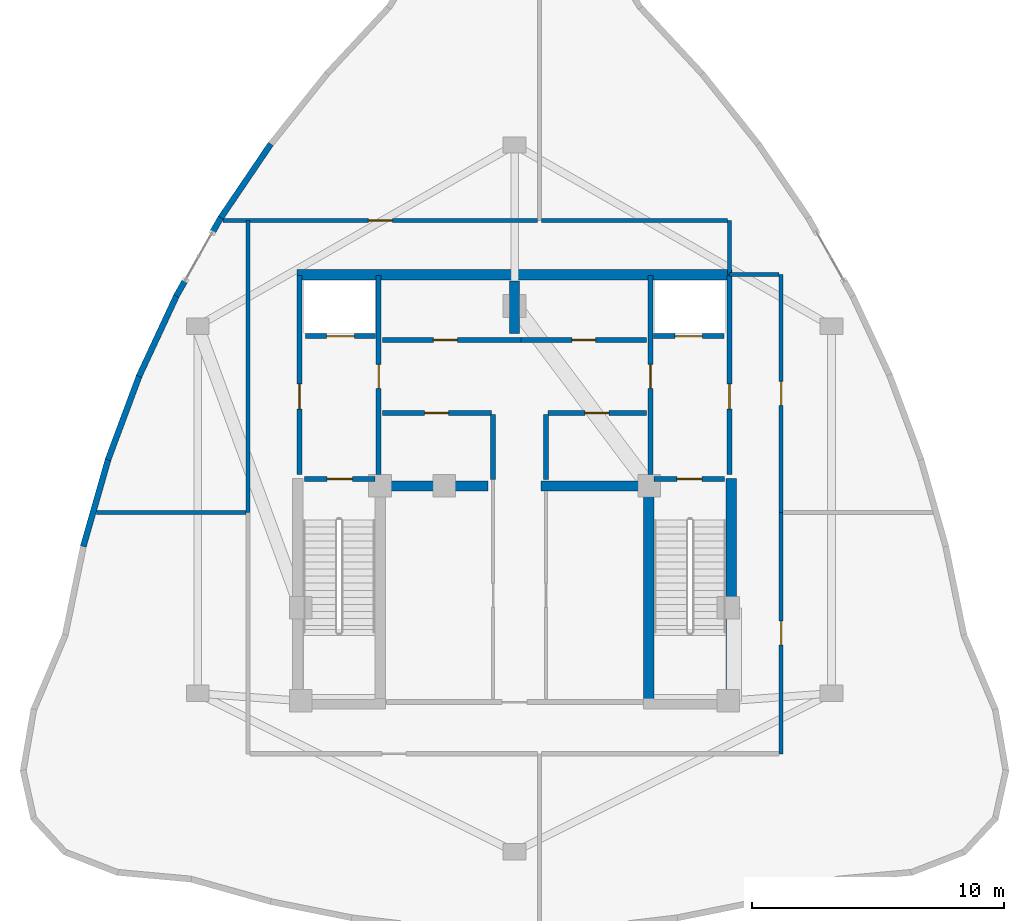
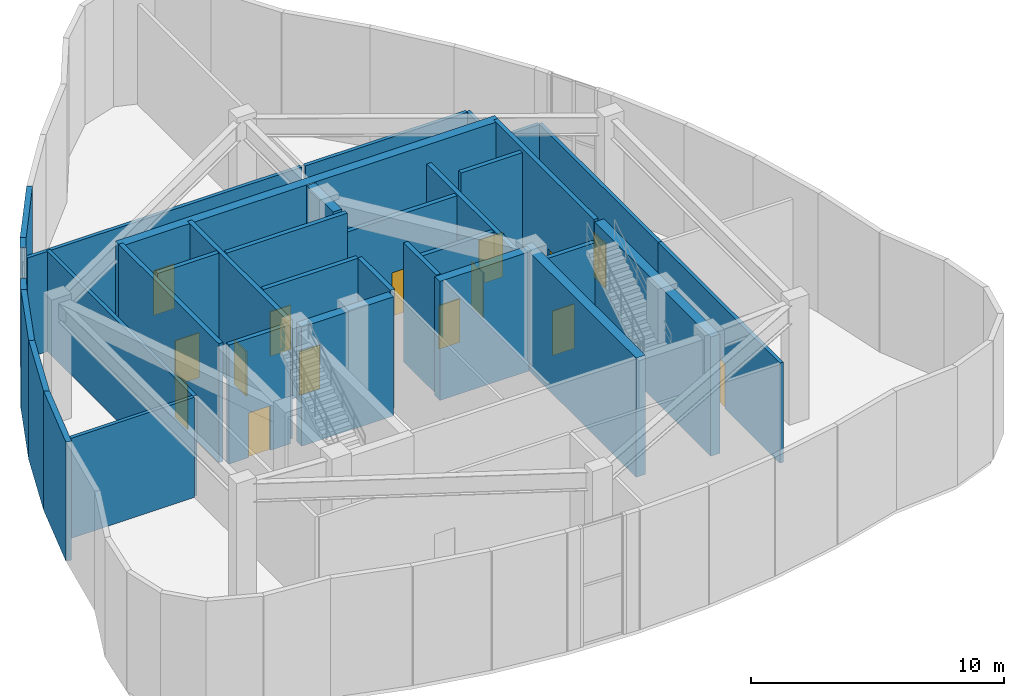
# One storey, part 8 of 10: 34 walls, 15 doors, 15 openings.
"""IFC4 building model written with IfcOpenShell, lengths in metres."""

import ifcopenshell
import ifcopenshell.guid

model = None  # the IFC model being written
_history = None  # IfcOwnerHistory: only IFC2X3 demands one
_inside = {}  # id of a spatial element -> (the spatial element, [elements in it])
_under = {}  # id of a project, library or spatial element -> (it, [spatial elements below it])
_declared = {}  # id of a project -> (the project, [libraries it declares])
_typed = {}  # id of a type object -> (the type object, [elements of that type])
_made_of = {}  # id of a material, layer set ... -> (it, [elements and type objects made of it])


def new_model(schema):
    """Start an empty IFC model of exactly this schema.

    Asked for "IFC4X3", IfcOpenShell would pick the latest addendum, in which some entities
    have other attributes; the version numbers below select the first issue.
    IFC2X3 requires an IfcOwnerHistory on every rooted entity: one is made here for all.
    """
    global model, _history
    if schema == "IFC4X3":
        model = ifcopenshell.file(schema_version=(4, 3, 0, 0))
    else:
        model = ifcopenshell.file(schema=schema)
    _inside.clear()
    _under.clear()
    _declared.clear()
    _typed.clear()
    _made_of.clear()
    _history = None
    if model.schema == "IFC2X3":
        org = make("IfcOrganization", Name="unknown")
        user = make(
            "IfcPersonAndOrganization",
            ThePerson=make("IfcPerson", FamilyName="unknown"),
            TheOrganization=org,
        )
        app = make(
            "IfcApplication",
            ApplicationDeveloper=org,
            Version="unknown",
            ApplicationFullName="unknown",
            ApplicationIdentifier="unknown",
        )
        _history = make(
            "IfcOwnerHistory",
            OwningUser=user,
            OwningApplication=app,
            ChangeAction="ADDED",
            CreationDate=0,
        )
    return model


def make(cls, **values):
    """One entity of the class cls with the attributes given. An attribute that is None is left unset."""
    return model.create_entity(
        cls, **{name: value for name, value in values.items() if value is not None}
    )


def rooted(cls, **values):
    """An entity with a GlobalId (a new one), such as an element, a storey or a relation."""
    return make(cls, GlobalId=ifcopenshell.guid.new(), OwnerHistory=_history, **values)


def si_unit(unit_type, name, prefix=None):
    """IfcSIUnit, for example si_unit("LENGTHUNIT", "METRE", prefix="MILLI")."""
    return make("IfcSIUnit", UnitType=unit_type, Prefix=prefix, Name=name)


def assignment(units):
    """IfcUnitAssignment: the units of a project."""
    return None if units is None else make("IfcUnitAssignment", Units=units)


def point(xyz):
    """IfcCartesianPoint."""
    return None if xyz is None else make("IfcCartesianPoint", Coordinates=xyz)


def direction(xyz):
    """IfcDirection."""
    return None if xyz is None else make("IfcDirection", DirectionRatios=xyz)


def frame(location, z_axis=None, x_axis=None):
    """IfcAxis2Placement3D, a coordinate frame: its origin and axes. An axis left out is left unset."""
    return make(
        "IfcAxis2Placement3D",
        Location=point(location),
        Axis=direction(z_axis),
        RefDirection=direction(x_axis),
    )


def frame_2d(location, x_axis=None):
    """IfcAxis2Placement2D, a coordinate frame in the plane: its origin and x axis."""
    return make(
        "IfcAxis2Placement2D", Location=point(location), RefDirection=direction(x_axis)
    )


def origin():
    """The frame at (0, 0, 0) with its axes left unset."""
    return frame((0.0, 0.0, 0.0))


def place(relative_to, where):
    """IfcLocalPlacement: puts the frame where relative to a parent placement (None: the world)."""
    return make(
        "IfcLocalPlacement", PlacementRelTo=relative_to, RelativePlacement=where
    )


def context(
    kind, dimensions, precision=None, world=None, true_north=None, identifier=None
):
    """IfcGeometricRepresentationContext, for example the 3D "Model" context."""
    return make(
        "IfcGeometricRepresentationContext",
        ContextIdentifier=identifier,
        ContextType=kind,
        CoordinateSpaceDimension=dimensions,
        Precision=precision,
        WorldCoordinateSystem=world,
        TrueNorth=true_north,
    )


def subcontext(parent, identifier, kind, view, scale=None):
    """IfcGeometricRepresentationSubContext, for example "Body" below "Model"."""
    return make(
        "IfcGeometricRepresentationSubContext",
        ContextIdentifier=identifier,
        ContextType=kind,
        ParentContext=parent,
        TargetScale=scale,
        TargetView=view,
    )


def project(units=None, contexts=None):
    """IfcProject with its units and contexts."""
    return rooted(
        "IfcProject",
        Name="project",
        RepresentationContexts=contexts,
        UnitsInContext=assignment(units),
    )


def spatial(cls, under=None, at=None, **own):
    """A site, building, storey or space (cls), placed at a placement, below another one or the project."""
    s = rooted(cls, ObjectPlacement=at, **own)
    if under is not None:
        _under.setdefault(under.id(), (under, []))[1].append(s)
    return s


def profile(cls, at=None, kind="AREA", **sizes):
    """A parametric profile (cls). Its sizes go by their IFC names, for example OverallWidth=200.0."""
    return make(cls, ProfileType=kind, Position=at, **sizes)


def rectangle(**sizes):
    """IfcRectangleProfileDef."""
    return profile("IfcRectangleProfileDef", **sizes)


def extrude(swept, where, along, depth):
    """IfcExtrudedAreaSolid: the profile swept, set in the frame where, extruded along a direction by depth."""
    return make(
        "IfcExtrudedAreaSolid",
        SweptArea=swept,
        Position=where,
        ExtrudedDirection=direction(along),
        Depth=depth,
    )


def shape(context_of_items, identifier, shape_type, items):
    """IfcShapeRepresentation: the items that make up one representation, for example the "Body"."""
    return make(
        "IfcShapeRepresentation",
        ContextOfItems=context_of_items,
        RepresentationIdentifier=identifier,
        RepresentationType=shape_type,
        Items=items,
    )


def material(Name=None, Category=None):
    """IfcMaterial."""
    return make("IfcMaterial", Name=Name, Category=Category)


def layer(
    of_material, thickness, ventilated=None, Name=None, Category=None, Priority=None
):
    """IfcMaterialLayer: one layer of a wall or slab, of a material (None: an air gap)."""
    return make(
        "IfcMaterialLayer",
        Material=of_material,
        LayerThickness=thickness,
        IsVentilated=ventilated,
        Name=Name,
        Category=Category,
        Priority=Priority,
    )


def layer_set(layers, Name=None):
    """IfcMaterialLayerSet."""
    return make("IfcMaterialLayerSet", MaterialLayers=layers, LayerSetName=Name)


def made_of(thing, what):
    """Note that an element or type object is made of a material, layer set ...; save() writes the relation."""
    if what is not None:
        _made_of.setdefault(what.id(), (what, []))[1].append(thing)
    return thing


def type_object(cls, material=None, **own):
    """A type object (cls), such as IfcWallType, which elements share."""
    return made_of(rooted(cls, **own), material)


def element(
    cls,
    number,
    at=None,
    inside=None,
    cuts=None,
    type_object=None,
    material=None,
    context=None,
    identifier="Body",
    shape_type=None,
    held_by="IfcProductDefinitionShape",
    body=None,
    shapes=None,
    **own,
):
    """One element of the class cls, such as IfcWall. Its Tag is "e" and its number.

    at: its placement. inside: the storey or other place that contains it. cuts: it is an
    opening in that element (IfcRelVoidsElement). A single representation is given by context,
    identifier, shape_type and body (its items); several are given by shapes. held_by: the class
    of the entity that holds the representations. save() writes the other relations.
    """
    e = rooted(cls, Tag="e%d" % number, ObjectPlacement=at, **own)
    if body is not None:
        shapes = [shape(context, identifier, shape_type, body)]
    if shapes is not None:
        e.Representation = make(held_by, Representations=shapes)
    if inside is not None:
        _inside.setdefault(inside.id(), (inside, []))[1].append(e)
    if cuts is not None:
        rooted(
            "IfcRelVoidsElement", RelatingBuildingElement=cuts, RelatedOpeningElement=e
        )
    if type_object is not None:
        _typed.setdefault(type_object.id(), (type_object, []))[1].append(e)
    return made_of(e, material)


def fill(opening, filler):
    """IfcRelFillsElement: the door or window that sits in an opening."""
    return rooted(
        "IfcRelFillsElement",
        RelatingOpeningElement=opening,
        RelatedBuildingElement=filler,
    )


def aggregate(whole, parts):
    """IfcRelAggregates: a whole, such as a stair, and the parts it consists of."""
    return rooted("IfcRelAggregates", RelatingObject=whole, RelatedObjects=parts)


def save(model, path):
    """Write the relations noted so far, then the file.

    IfcRelAggregates (storeys below a building ...), IfcRelContainedInSpatialStructure (elements
    in a storey), IfcRelDefinesByType, IfcRelAssociatesMaterial and IfcRelDeclares: one each for
    every whole, place, type object, material and project.
    """
    for whole, parts in _under.values():
        aggregate(whole, parts)
    for where, things in _inside.values():
        rooted(
            "IfcRelContainedInSpatialStructure",
            RelatedElements=things,
            RelatingStructure=where,
        )
    for kind, things in _typed.values():
        rooted("IfcRelDefinesByType", RelatedObjects=things, RelatingType=kind)
    for what, things in _made_of.values():
        rooted("IfcRelAssociatesMaterial", RelatedObjects=things, RelatingMaterial=what)
    for by, libraries in _declared.values():
        rooted("IfcRelDeclares", RelatingContext=by, RelatedDefinitions=libraries)
    model.write(path)


model = new_model("IFC4")

# Units and contexts
model_context = context("Model", 3, precision=1e-05, world=origin(), true_north=direction((0.0, 1.0)))
body_context = subcontext(model_context, "Body", "Model", "MODEL_VIEW")
ifc_project = project(units=[si_unit("LENGTHUNIT", "METRE"), si_unit("AREAUNIT", "SQUARE_METRE"), si_unit("VOLUMEUNIT", "CUBIC_METRE"), si_unit("PLANEANGLEUNIT", "RADIAN"), si_unit("MASSUNIT", "GRAM", prefix="KILO")], contexts=[model_context])

# Site, building, storey
site_placement = place(None, origin())
site = spatial("IfcSite", under=ifc_project, at=site_placement, CompositionType="ELEMENT")
building_placement = place(site_placement, origin())
building = spatial("IfcBuilding", under=site, at=building_placement, Name="Miruveldt Soraemaru", CompositionType="ELEMENT")
storey_placement = place(building_placement, frame((0.0, 0.0, 306.800048828125)))
storey = spatial("IfcBuildingStorey", under=building, at=storey_placement, Name="L81", CompositionType="ELEMENT", Elevation=306.800048828125)

# Walls
ifc_material_1 = material(Name="Concrete C70/85 (70 MPa)", Category="concrete")
ifc_layer_1 = layer(ifc_material_1, 0.5, Name="Concrete C70/85 (70 MPa)", Category="concrete")
ifc_layer_set_1 = layer_set([ifc_layer_1], Name="Concrete C70/85 (70 MPa)")
wall_type_1 = type_object("IfcWallType", Name="WALL-BW-500", PredefinedType="SHEAR", material=ifc_layer_set_1)
wall_1_placement = place(storey_placement, frame((44.0, 50.10009765625, 0.0), z_axis=(0.0, 0.0, 1.0), x_axis=(0.0, 1.0, 0.0)))
element("IfcWall", 1, at=wall_1_placement, inside=storey, type_object=wall_type_1, Name="L81 Core Buttress Shear Wall BN", PredefinedType="SHEAR", context=body_context, shape_type="SweptSolid", body=[
    extrude(rectangle(XDim=2.099853515625, YDim=0.39990234375, at=frame_2d((1.0498046875, 0.0))), origin(), (0.0, 0.0, 1.0), 5.739990234375),
])
for number, where, z_axis, x_axis, name in (
    (2, (38.75, 44.050048828125, 0.0), (0.0, 0.0, 1.0), (1.0, 0.0, 0.0), "L81 Core Buttress Shear Wall BW"),
    (3, (45.050048828125, 44.050048828125, 0.0), (0.0, 0.0, 1.0), (1.0, 0.0, 0.0), "L81 Core Buttress Shear Wall BE"),
):
    element("IfcWall", number, at=place(storey_placement, frame(where, z_axis=z_axis, x_axis=x_axis)), inside=storey, type_object=wall_type_1, Name=name, PredefinedType="SHEAR", context=body_context, shape_type="SweptSolid", body=[
        extrude(rectangle(XDim=4.199951171875, YDim=0.39990234375, at=frame_2d((2.10009765625, 0.0))), origin(), (0.0, 0.0, 1.0), 5.739990234375),
    ])
ifc_material_2 = material(Name="Concrete C50/60 (50 MPa)", Category="concrete")
ifc_layer_2 = layer(ifc_material_2, 0.419921875, Name="Concrete C50/60 (50 MPa)", Category="concrete")
ifc_layer_set_2 = layer_set([ifc_layer_2], Name="Concrete C50/60 (50 MPa)")
wall_type_2 = type_object("IfcWallType", Name="WALL-CW-420", PredefinedType="SHEAR", material=ifc_layer_set_2)
wall_2_placement = place(storey_placement, frame((35.35009765625, 52.449951171875, 0.0), z_axis=(0.0, 0.0, 1.0), x_axis=(1.0, 0.0, 0.0)))
element("IfcWall", 4, at=wall_2_placement, inside=storey, type_object=wall_type_2, Name="L81 Central Core Shear Wall N", PredefinedType="SHEAR", context=body_context, shape_type="SweptSolid", body=[
    extrude(rectangle(XDim=17.2998046875, YDim=0.419921875, at=frame_2d((8.64990234375, 0.0))), origin(), (0.0, 0.0, 1.0), 5.739990234375),
])
wall_3_placement = place(storey_placement, frame((52.610107421875, 35.179931640625, 0.0), z_axis=(0.0, 0.0, 1.0), x_axis=(0.0, 1.0, 0.0)))
element("IfcWall", 5, at=wall_3_placement, inside=storey, type_object=wall_type_2, Name="L81 Central Core Shear Wall E1", PredefinedType="SHEAR", context=body_context, shape_type="SweptSolid", body=[
    extrude(rectangle(XDim=9.170166015625, YDim=0.419921875, at=frame_2d((4.5849609375, 0.0))), origin(), (0.0, 0.0, 1.0), 5.739990234375),
])
wall_4_placement = place(storey_placement, frame((49.340087890625, 35.39990234375, 0.0), z_axis=(0.0, 0.0, 1.0), x_axis=(0.0, 1.0, 0.0)))
element("IfcWall", 6, at=wall_4_placement, inside=storey, type_object=wall_type_2, Name="L81 Central Core Shear Wall SE-INT", PredefinedType="SHEAR", context=body_context, shape_type="SweptSolid", body=[
    extrude(rectangle(XDim=8.9501953125, YDim=0.419921875, at=frame_2d((4.47509765625, 0.0))), origin(), (0.0, 0.0, 1.0), 5.739990234375),
])
ifc_material_3 = material(Name="Precast concrete C45/55 (45 MPa)", Category="concrete")
ifc_layer_3 = layer(ifc_material_3, 0.239990234375, Name="Precast concrete C45/55 (45 MPa)", Category="concrete")
ifc_layer_set_3 = layer_set([ifc_layer_3], Name="Precast concrete C45/55 (45 MPa)")
wall_type_3 = type_object("IfcWallType", Name="WALL-EXT-PC240", PredefinedType="SOLIDWALL", material=ifc_layer_set_3)
wall_5_placement = place(storey_placement, frame((34.30908203125, 57.640869140625, 0.0), z_axis=(0.0, 0.0, 1.0), x_axis=(-0.560819727484, -0.827937940467, 0.0)))
element("IfcWall", 7, at=wall_5_placement, inside=storey, type_object=wall_type_3, Name="L81 Precast Concrete Facade Wall 9", PredefinedType="SOLIDWALL", context=body_context, shape_type="SweptSolid", body=[
    extrude(rectangle(XDim=3.609375, YDim=0.239990234375, at=frame_2d((1.8046875, 0.0))), origin(), (0.0, 0.0, 1.0), 5.739990234375),
])
wall_6_placement = place(storey_placement, frame((32.32177734375, 54.7119140625, 0.0), z_axis=(0.0, 0.0, 1.0), x_axis=(-0.493563037143, -0.869710025449, 0.0)))
element("IfcWall", 8, at=wall_6_placement, inside=storey, type_object=wall_type_3, Name="L81 Precast Pier Left 10", PredefinedType="SOLIDWALL", context=body_context, shape_type="SweptSolid", body=[
    extrude(rectangle(XDim=0.704833984375, YDim=0.239990234375, at=frame_2d((0.3525390625, 0.0))), origin(), (0.0, 0.0, 1.0), 5.739990234375),
])
wall_7_placement = place(storey_placement, frame((30.923095703125, 52.24609375, 0.0), z_axis=(0.0, 0.0, 1.0), x_axis=(-0.49347941801, -0.869757474242, 0.0)))
element("IfcWall", 9, at=wall_7_placement, inside=storey, type_object=wall_type_3, Name="L81 Precast Pier Right 10", PredefinedType="SOLIDWALL", context=body_context, shape_type="SweptSolid", body=[
    extrude(rectangle(XDim=0.751953125, YDim=0.239990234375, at=frame_2d((0.3759765625, 0.0))), origin(), (0.0, 0.0, 1.0), 5.739990234375),
])
wall_8_placement = place(storey_placement, frame((30.584228515625, 51.654296875, 0.0), z_axis=(0.0, 0.0, 1.0), x_axis=(-0.422322757118, -0.906445524464, 0.0)))
element("IfcWall", 10, at=wall_8_placement, inside=storey, type_object=wall_type_3, Name="L81 Precast Concrete Facade Wall 11", PredefinedType="SOLIDWALL", context=body_context, shape_type="SweptSolid", body=[
    extrude(rectangle(XDim=3.587158203125, YDim=0.239990234375, at=frame_2d((1.79345703125, 0.0))), origin(), (0.0, 0.0, 1.0), 5.739990234375),
])
wall_9_placement = place(storey_placement, frame((29.096435546875, 48.46728515625, 0.0), z_axis=(0.0, 0.0, 1.0), x_axis=(-0.349054279873, -0.937102507574, 0.0)))
element("IfcWall", 11, at=wall_9_placement, inside=storey, type_object=wall_type_3, Name="L81 Precast Concrete Facade Wall 12", PredefinedType="SOLIDWALL", context=body_context, shape_type="SweptSolid", body=[
    extrude(rectangle(XDim=3.609130859375, YDim=0.239990234375, at=frame_2d((1.8046875, 0.0))), origin(), (0.0, 0.0, 1.0), 5.739990234375),
])
wall_10_placement = place(storey_placement, frame((27.8583984375, 45.151611328125, 0.0), z_axis=(0.0, 0.0, 1.0), x_axis=(-0.274897629025, -0.961473501224, 0.0)))
element("IfcWall", 12, at=wall_10_placement, inside=storey, type_object=wall_type_3, Name="L81 Precast Concrete Facade Wall 13", PredefinedType="SOLIDWALL", context=body_context, shape_type="SweptSolid", body=[
    extrude(rectangle(XDim=3.65380859375, YDim=0.239990234375, at=frame_2d((1.826904296875, 0.0))), origin(), (0.0, 0.0, 1.0), 5.739990234375),
])

# Wall, opening, door
ifc_material_4 = material(Name="Concrete C40/50 (40 MPa)", Category="concrete")
ifc_layer_4 = layer(ifc_material_4, 0.159912109375, Name="Concrete C40/50 (40 MPa)", Category="concrete")
ifc_layer_set_4 = layer_set([ifc_layer_4], Name="Concrete C40/50 (40 MPa)")
wall_type_4 = type_object("IfcWallType", Name="WALL-INT-RC160", PredefinedType="SOLIDWALL", material=ifc_layer_set_4)
wall_11_placement = place(storey_placement, frame((44.919921875, 54.60009765625, 0.0), z_axis=(0.0, 0.0, 1.0), x_axis=(-1.0, 0.0, 0.0)))
wall_11 = element("IfcWall", 13, at=wall_11_placement, inside=storey, type_object=wall_type_4, Name="L81 Partition Wall 5", PredefinedType="SOLIDWALL", context=body_context, shape_type="SweptSolid", body=[
    extrude(rectangle(XDim=12.5068359375, YDim=0.159912109375, at=frame_2d((6.25341796875, 0.0))), origin(), (0.0, 0.0, 1.0), 4.827880859375),
])
opening_1_placement = place(wall_11_placement, frame((5.779052734375, 0.0, 0.0)))
opening_1 = element("IfcOpeningElement", 14, at=opening_1_placement, cuts=wall_11, Name="Opening FD2", PredefinedType="OPENING", context=body_context, shape_type="SweptSolid", body=[
    extrude(rectangle(XDim=0.949951171875, YDim=2.14990234375, at=frame_2d((0.47509765625, 1.074951171875))), frame((0.0, 0.08984375, 0.0), z_axis=(0.0, -1.0, 0.0), x_axis=(1.0, 0.0, 0.0)), (0.0, 0.0, 1.0), 0.179931640625),
])
ifc_material_5 = material(Name="Anodised aluminium EN AW-6063 T6", Category="aluminium")
door_type_1 = type_object("IfcDoorType", Name="DOOR-FD2-950", OperationType="NOTDEFINED", PredefinedType="DOOR", material=ifc_material_5)
door_1_placement = place(opening_1_placement, origin())
door_1 = element("IfcDoor", 15, at=door_1_placement, inside=storey, type_object=door_type_1, Name="L81 L81 Crown Water Tank and Pump Plant Room Fire Door", OperationType="SINGLE_SWING_RIGHT", OverallHeight=2.14990234375, OverallWidth=0.949951171875, PredefinedType="DOOR", context=body_context, shape_type="SweptSolid", body=[
    extrude(rectangle(XDim=0.949951171875, YDim=2.14990234375, at=frame_2d((0.47509765625, 1.074951171875))), frame((0.0, 0.02490234375, 0.0), z_axis=(0.0, -1.0, 0.0), x_axis=(1.0, 0.0, 0.0)), (0.0, 0.0, 1.0), 0.050048828125),
])
fill(opening_1, door_1)

wall_12_placement = place(storey_placement, frame((54.60009765625, 33.39990234375, 0.0), z_axis=(0.0, 0.0, 1.0), x_axis=(0.0, 1.0, 0.0)))
wall_12 = element("IfcWall", 16, at=wall_12_placement, inside=storey, type_object=wall_type_4, Name="L81 Partition Wall 4", PredefinedType="SOLIDWALL", context=body_context, shape_type="SweptSolid", body=[
    extrude(rectangle(XDim=9.60009765625, YDim=0.159912109375, at=frame_2d((4.800048828125, 0.0))), origin(), (0.0, 0.0, 1.0), 4.827880859375),
])
opening_2_placement = place(wall_12_placement, frame((4.324951171875, 0.0, 0.0)))
opening_2 = element("IfcOpeningElement", 17, at=opening_2_placement, cuts=wall_12, Name="Opening FD2", PredefinedType="OPENING", context=body_context, shape_type="SweptSolid", body=[
    extrude(rectangle(XDim=0.949951171875, YDim=2.14990234375, at=frame_2d((0.47509765625, 1.074951171875))), frame((0.0, 0.08984375, 0.0), z_axis=(0.0, -1.0, 0.0), x_axis=(1.0, 0.0, 0.0)), (0.0, 0.0, 1.0), 0.179931640625),
])
door_2_placement = place(opening_2_placement, origin())
door_2 = element("IfcDoor", 18, at=door_2_placement, inside=storey, type_object=door_type_1, Name="L81 L81 Crown Air Handling Plant Room Fire Door", OperationType="SINGLE_SWING_LEFT", OverallHeight=2.14990234375, OverallWidth=0.949951171875, PredefinedType="DOOR", context=body_context, shape_type="SweptSolid", body=[
    extrude(rectangle(XDim=0.949951171875, YDim=2.14990234375, at=frame_2d((0.47509765625, 1.074951171875))), frame((0.0, 0.02490234375, 0.0), z_axis=(0.0, -1.0, 0.0), x_axis=(1.0, 0.0, 0.0)), (0.0, 0.0, 1.0), 0.050048828125),
])
fill(opening_2, door_2)

wall_13_placement = place(storey_placement, frame((54.60009765625, 43.0, 0.0), z_axis=(0.0, 0.0, 1.0), x_axis=(0.0, 1.0, 0.0)))
wall_13 = element("IfcWall", 19, at=wall_13_placement, inside=storey, type_object=wall_type_4, Name="L81 Partition Wall 7", PredefinedType="SOLIDWALL", context=body_context, shape_type="SweptSolid", body=[
    extrude(rectangle(XDim=9.449951171875, YDim=0.159912109375, at=frame_2d((4.72509765625, 0.0))), origin(), (0.0, 0.0, 1.0), 4.827880859375),
])
opening_3_placement = place(wall_13_placement, frame((4.25, 0.0, 0.0)))
opening_3 = element("IfcOpeningElement", 20, at=opening_3_placement, cuts=wall_13, Name="Opening FD2", PredefinedType="OPENING", context=body_context, shape_type="SweptSolid", body=[
    extrude(rectangle(XDim=0.949951171875, YDim=2.14990234375, at=frame_2d((0.47509765625, 1.074951171875))), frame((0.0, 0.08984375, 0.0), z_axis=(0.0, -1.0, 0.0), x_axis=(1.0, 0.0, 0.0)), (0.0, 0.0, 1.0), 0.179931640625),
])
door_3_placement = place(opening_3_placement, origin())
door_3 = element("IfcDoor", 21, at=door_3_placement, inside=storey, type_object=door_type_1, Name="L81 L81 Crown Electrical and BMS Plant Room Fire Door", OperationType="SINGLE_SWING_LEFT", OverallHeight=2.14990234375, OverallWidth=0.949951171875, PredefinedType="DOOR", context=body_context, shape_type="SweptSolid", body=[
    extrude(rectangle(XDim=0.949951171875, YDim=2.14990234375, at=frame_2d((0.47509765625, 1.074951171875))), frame((0.0, 0.02490234375, 0.0), z_axis=(0.0, -1.0, 0.0), x_axis=(1.0, 0.0, 0.0)), (0.0, 0.0, 1.0), 0.050048828125),
])
fill(opening_3, door_3)

# Walls
wall_14_placement = place(storey_placement, frame((33.39990234375, 54.60009765625, 0.0), z_axis=(0.0, 0.0, 1.0), x_axis=(0.0, -1.0, 0.0)))
element("IfcWall", 22, at=wall_14_placement, inside=storey, type_object=wall_type_4, Name="L81 Partition Wall 6", PredefinedType="SOLIDWALL", context=body_context, shape_type="SweptSolid", body=[
    extrude(rectangle(XDim=11.60009765625, YDim=0.159912109375, at=frame_2d((5.800048828125, 0.0))), origin(), (0.0, 0.0, 1.0), 4.827880859375),
])
wall_15_placement = place(storey_placement, frame((52.469970703125, 54.60009765625, 0.0), z_axis=(0.0, 0.0, 1.0), x_axis=(-1.0, 0.0, 0.0)))
element("IfcWall", 23, at=wall_15_placement, inside=storey, type_object=wall_type_4, Name="L81 Partition Wall 10", PredefinedType="SOLIDWALL", context=body_context, shape_type="SweptSolid", body=[
    extrude(rectangle(XDim=7.389892578125, YDim=0.159912109375, at=frame_2d((3.69482421875, 0.0))), origin(), (0.0, 0.0, 1.0), 4.827880859375),
])
wall_16_placement = place(storey_placement, frame((33.320068359375, 43.0, 0.0), z_axis=(0.0, 0.0, 1.0), x_axis=(-0.999996858298, -0.00250666975, 0.0)))
element("IfcWall", 24, at=wall_16_placement, inside=storey, type_object=wall_type_4, Name="L81 Partition Wall 12", PredefinedType="SOLIDWALL", context=body_context, shape_type="SweptSolid", body=[
    extrude(rectangle(XDim=5.941162109375, YDim=0.159912109375, at=frame_2d((2.970703125, 0.0))), origin(), (0.0, 0.0, 1.0), 4.827880859375),
])
wall_17_placement = place(storey_placement, frame((52.550048828125, 52.449951171875, 0.0), z_axis=(0.0, 0.0, 1.0), x_axis=(0.0, 1.0, 0.0)))
element("IfcWall", 25, at=wall_17_placement, inside=storey, type_object=wall_type_4, Name="L81 Partition Wall 9", PredefinedType="SOLIDWALL", context=body_context, shape_type="SweptSolid", body=[
    extrude(rectangle(XDim=2.150146484375, YDim=0.159912109375, at=frame_2d((1.0751953125, 0.0))), origin(), (0.0, 0.0, 1.0), 4.827880859375),
])
wall_18_placement = place(storey_placement, frame((54.52001953125, 52.449951171875, 0.0), z_axis=(0.0, 0.0, 1.0), x_axis=(-1.0, 0.0, 0.0)))
element("IfcWall", 26, at=wall_18_placement, inside=storey, type_object=wall_type_4, Name="L81 Partition Wall 8", PredefinedType="SOLIDWALL", context=body_context, shape_type="SweptSolid", body=[
    extrude(rectangle(XDim=1.969970703125, YDim=0.159912109375, at=frame_2d((0.98486328125, 0.0))), origin(), (0.0, 0.0, 1.0), 4.827880859375),
])

# Wall, opening, door
ifc_layer_5 = layer(ifc_material_4, 0.199951171875, Name="Concrete C40/50 (40 MPa)", Category="concrete")
ifc_layer_set_5 = layer_set([ifc_layer_5], Name="Concrete C40/50 (40 MPa)")
wall_type_5 = type_object("IfcWallType", Name="WALL-INT-RC200", PredefinedType="SOLIDWALL", material=ifc_layer_set_5)
wall_19_placement = place(storey_placement, frame((35.449951171875, 44.5, 0.0), z_axis=(0.0, 0.0, 1.0), x_axis=(0.0, 1.0, 0.0)))
wall_19 = element("IfcWall", 27, at=wall_19_placement, inside=storey, type_object=wall_type_5, Name="L81 Core Compartment Wall FFW-OUT", PredefinedType="SOLIDWALL", context=body_context, shape_type="SweptSolid", body=[
    extrude(rectangle(XDim=7.919921875, YDim=0.199951171875, at=frame_2d((3.9599609375, 0.0))), origin(), (0.0, 0.0, 1.0), 5.739990234375),
])
opening_4_placement = place(wall_19_placement, frame((2.60009765625, 0.0, 0.0)))
opening_4 = element("IfcOpeningElement", 28, at=opening_4_placement, cuts=wall_19, Name="Opening FD1", PredefinedType="OPENING", context=body_context, shape_type="SweptSolid", body=[
    extrude(rectangle(XDim=1.0, YDim=2.14990234375, at=frame_2d((0.5, 1.074951171875))), frame((0.0, 0.10986328125, 0.0), z_axis=(0.0, -1.0, 0.0), x_axis=(1.0, 0.0, 0.0)), (0.0, 0.0, 1.0), 0.219970703125),
])
door_type_2 = type_object("IfcDoorType", Name="DOOR-FD1-1000", OperationType="NOTDEFINED", PredefinedType="DOOR", material=ifc_material_5)
door_4_placement = place(opening_4_placement, origin())
door_4 = element("IfcDoor", 29, at=door_4_placement, inside=storey, type_object=door_type_2, Name="L81 West Firefighting Lobby Exit Door", OperationType="SINGLE_SWING_LEFT", OverallHeight=2.14990234375, OverallWidth=1.0, PredefinedType="DOOR", context=body_context, shape_type="SweptSolid", body=[
    extrude(rectangle(XDim=1.0, YDim=2.14990234375, at=frame_2d((0.5, 1.074951171875))), frame((0.0, 0.02490234375, 0.0), z_axis=(0.0, -1.0, 0.0), x_axis=(1.0, 0.0, 0.0)), (0.0, 0.0, 1.0), 0.050048828125),
])
fill(opening_4, door_4)

wall_20_placement = place(storey_placement, frame((52.550048828125, 44.5, 0.0), z_axis=(0.0, 0.0, 1.0), x_axis=(0.0, 1.0, 0.0)))
wall_20 = element("IfcWall", 30, at=wall_20_placement, inside=storey, type_object=wall_type_5, Name="L81 Core Compartment Wall FFE-OUT", PredefinedType="SOLIDWALL", context=body_context, shape_type="SweptSolid", body=[
    extrude(rectangle(XDim=7.919921875, YDim=0.199951171875, at=frame_2d((3.9599609375, 0.0))), origin(), (0.0, 0.0, 1.0), 5.739990234375),
])
opening_5_placement = place(wall_20_placement, frame((2.60009765625, 0.0, 0.0)))
opening_5 = element("IfcOpeningElement", 31, at=opening_5_placement, cuts=wall_20, Name="Opening FD1", PredefinedType="OPENING", context=body_context, shape_type="SweptSolid", body=[
    extrude(rectangle(XDim=1.0, YDim=2.14990234375, at=frame_2d((0.5, 1.074951171875))), frame((0.0, 0.10986328125, 0.0), z_axis=(0.0, -1.0, 0.0), x_axis=(1.0, 0.0, 0.0)), (0.0, 0.0, 1.0), 0.219970703125),
])
door_5_placement = place(opening_5_placement, frame((1.0, 0.0, 0.0), z_axis=(0.0, 0.0, 1.0), x_axis=(-1.0, 0.0, 0.0)))
door_5 = element("IfcDoor", 32, at=door_5_placement, inside=storey, type_object=door_type_2, Name="L81 East Firefighting Lobby Exit Door", OperationType="SINGLE_SWING_RIGHT", OverallHeight=2.14990234375, OverallWidth=1.0, PredefinedType="DOOR", context=body_context, shape_type="SweptSolid", body=[
    extrude(rectangle(XDim=1.0, YDim=2.14990234375, at=frame_2d((0.5, 1.074951171875))), frame((0.0, 0.02490234375, 0.0), z_axis=(0.0, -1.0, 0.0), x_axis=(1.0, 0.0, 0.0)), (0.0, 0.0, 1.0), 0.050048828125),
])
fill(opening_5, door_5)

wall_21_placement = place(storey_placement, frame((38.60009765625, 44.5, 0.0), z_axis=(0.0, 0.0, 1.0), x_axis=(0.0, 1.0, 0.0)))
wall_21 = element("IfcWall", 33, at=wall_21_placement, inside=storey, type_object=wall_type_5, Name="L81 Core Compartment Wall FFW-IN", PredefinedType="SOLIDWALL", context=body_context, shape_type="SweptSolid", body=[
    extrude(rectangle(XDim=7.919921875, YDim=0.199951171875, at=frame_2d((3.9599609375, 0.0))), origin(), (0.0, 0.0, 1.0), 5.739990234375),
])
opening_6_placement = place(wall_21_placement, frame((3.425048828125, 0.0, 0.0)))
opening_6 = element("IfcOpeningElement", 34, at=opening_6_placement, cuts=wall_21, Name="Opening FD2", PredefinedType="OPENING", context=body_context, shape_type="SweptSolid", body=[
    extrude(rectangle(XDim=0.949951171875, YDim=2.14990234375, at=frame_2d((0.47509765625, 1.074951171875))), frame((0.0, 0.10986328125, 0.0), z_axis=(0.0, -1.0, 0.0), x_axis=(1.0, 0.0, 0.0)), (0.0, 0.0, 1.0), 0.219970703125),
])
door_6_placement = place(opening_6_placement, frame((0.949951171875, 0.0, 0.0), z_axis=(0.0, 0.0, 1.0), x_axis=(-1.0, 0.0, 0.0)))
door_6 = element("IfcDoor", 35, at=door_6_placement, inside=storey, type_object=door_type_1, Name="L81 Lift Lobby to West Fire Lobby Door", OperationType="SINGLE_SWING_RIGHT", OverallHeight=2.14990234375, OverallWidth=0.949951171875, PredefinedType="DOOR", context=body_context, shape_type="SweptSolid", body=[
    extrude(rectangle(XDim=0.949951171875, YDim=2.14990234375, at=frame_2d((0.47509765625, 1.074951171875))), frame((0.0, 0.02490234375, 0.0), z_axis=(0.0, -1.0, 0.0), x_axis=(1.0, 0.0, 0.0)), (0.0, 0.0, 1.0), 0.050048828125),
])
fill(opening_6, door_6)

wall_22_placement = place(storey_placement, frame((49.39990234375, 44.5, 0.0), z_axis=(0.0, 0.0, 1.0), x_axis=(0.0, 1.0, 0.0)))
wall_22 = element("IfcWall", 36, at=wall_22_placement, inside=storey, type_object=wall_type_5, Name="L81 Core Compartment Wall FFE-IN", PredefinedType="SOLIDWALL", context=body_context, shape_type="SweptSolid", body=[
    extrude(rectangle(XDim=7.919921875, YDim=0.199951171875, at=frame_2d((3.9599609375, 0.0))), origin(), (0.0, 0.0, 1.0), 4.827880859375),
])
opening_7_placement = place(wall_22_placement, frame((3.425048828125, 0.0, 0.0)))
opening_7 = element("IfcOpeningElement", 37, at=opening_7_placement, cuts=wall_22, Name="Opening FD2", PredefinedType="OPENING", context=body_context, shape_type="SweptSolid", body=[
    extrude(rectangle(XDim=0.949951171875, YDim=2.14990234375, at=frame_2d((0.47509765625, 1.074951171875))), frame((0.0, 0.10986328125, 0.0), z_axis=(0.0, -1.0, 0.0), x_axis=(1.0, 0.0, 0.0)), (0.0, 0.0, 1.0), 0.219970703125),
])
door_7_placement = place(opening_7_placement, origin())
door_7 = element("IfcDoor", 38, at=door_7_placement, inside=storey, type_object=door_type_1, Name="L81 Lift Lobby to East Fire Lobby Door", OperationType="SINGLE_SWING_LEFT", OverallHeight=2.14990234375, OverallWidth=0.949951171875, PredefinedType="DOOR", context=body_context, shape_type="SweptSolid", body=[
    extrude(rectangle(XDim=0.949951171875, YDim=2.14990234375, at=frame_2d((0.47509765625, 1.074951171875))), frame((0.0, 0.02490234375, 0.0), z_axis=(0.0, -1.0, 0.0), x_axis=(1.0, 0.0, 0.0)), (0.0, 0.0, 1.0), 0.050048828125),
])
fill(opening_7, door_7)

wall_23_placement = place(storey_placement, frame((38.75, 49.85009765625, 0.0), z_axis=(0.0, 0.0, 1.0), x_axis=(1.0, 0.0, 0.0)))
wall_23 = element("IfcWall", 39, at=wall_23_placement, inside=storey, type_object=wall_type_5, Name="L81 Core Compartment Wall ROWA-SW", PredefinedType="SOLIDWALL", context=body_context, shape_type="SweptSolid", body=[
    extrude(rectangle(XDim=5.5, YDim=0.199951171875, at=frame_2d((2.75, 0.0))), origin(), (0.0, 0.0, 1.0), 5.739990234375),
])
opening_8_placement = place(wall_23_placement, frame((2.02490234375, 0.0, 0.0)))
opening_8 = element("IfcOpeningElement", 40, at=opening_8_placement, cuts=wall_23, Name="Opening FD2", PredefinedType="OPENING", context=body_context, shape_type="SweptSolid", body=[
    extrude(rectangle(XDim=0.949951171875, YDim=2.14990234375, at=frame_2d((0.47509765625, 1.074951171875))), frame((0.0, 0.10986328125, 0.0), z_axis=(0.0, -1.0, 0.0), x_axis=(1.0, 0.0, 0.0)), (0.0, 0.0, 1.0), 0.219970703125),
])
door_8_placement = place(opening_8_placement, origin())
door_8 = element("IfcDoor", 41, at=door_8_placement, inside=storey, type_object=door_type_1, Name="L81 Fire Door", OperationType="SINGLE_SWING_LEFT", OverallHeight=2.14990234375, OverallWidth=0.949951171875, PredefinedType="DOOR", context=body_context, shape_type="SweptSolid", body=[
    extrude(rectangle(XDim=0.949951171875, YDim=2.14990234375, at=frame_2d((0.47509765625, 1.074951171875))), frame((0.0, 0.02490234375, 0.0), z_axis=(0.0, -1.0, 0.0), x_axis=(1.0, 0.0, 0.0)), (0.0, 0.0, 1.0), 0.050048828125),
])
fill(opening_8, door_8)

wall_24_placement = place(storey_placement, frame((44.25, 49.85009765625, 0.0), z_axis=(0.0, 0.0, 1.0), x_axis=(1.0, 0.0, 0.0)))
wall_24 = element("IfcWall", 42, at=wall_24_placement, inside=storey, type_object=wall_type_5, Name="L81 Core Compartment Wall ROWA-SE", PredefinedType="SOLIDWALL", context=body_context, shape_type="SweptSolid", body=[
    extrude(rectangle(XDim=5.0, YDim=0.199951171875, at=frame_2d((2.5, 0.0))), origin(), (0.0, 0.0, 1.0), 4.827880859375),
])
opening_9_placement = place(wall_24_placement, frame((2.02490234375, 0.0, 0.0)))
opening_9 = element("IfcOpeningElement", 43, at=opening_9_placement, cuts=wall_24, Name="Opening FD2", PredefinedType="OPENING", context=body_context, shape_type="SweptSolid", body=[
    extrude(rectangle(XDim=0.949951171875, YDim=2.14990234375, at=frame_2d((0.47509765625, 1.074951171875))), frame((0.0, 0.10986328125, 0.0), z_axis=(0.0, -1.0, 0.0), x_axis=(1.0, 0.0, 0.0)), (0.0, 0.0, 1.0), 0.219970703125),
])
door_9_placement = place(opening_9_placement, origin())
door_9 = element("IfcDoor", 44, at=door_9_placement, inside=storey, type_object=door_type_1, Name="L81 Fire Door", OperationType="SINGLE_SWING_LEFT", OverallHeight=2.14990234375, OverallWidth=0.949951171875, PredefinedType="DOOR", context=body_context, shape_type="SweptSolid", body=[
    extrude(rectangle(XDim=0.949951171875, YDim=2.14990234375, at=frame_2d((0.47509765625, 1.074951171875))), frame((0.0, 0.02490234375, 0.0), z_axis=(0.0, -1.0, 0.0), x_axis=(1.0, 0.0, 0.0)), (0.0, 0.0, 1.0), 0.050048828125),
])
fill(opening_9, door_9)

wall_25_placement = place(storey_placement, frame((38.75, 46.949951171875, 0.0), z_axis=(0.0, 0.0, 1.0), x_axis=(1.0, 0.0, 0.0)))
wall_25 = element("IfcWall", 45, at=wall_25_placement, inside=storey, type_object=wall_type_5, Name="L81 Core Compartment Wall MBW-N", PredefinedType="SOLIDWALL", context=body_context, shape_type="SweptSolid", body=[
    extrude(rectangle(XDim=4.330078125, YDim=0.199951171875, at=frame_2d((2.1650390625, 0.0))), origin(), (0.0, 0.0, 1.0), 5.739990234375),
])
opening_10_placement = place(wall_25_placement, frame((1.675048828125, 0.0, 0.0)))
opening_10 = element("IfcOpeningElement", 46, at=opening_10_placement, cuts=wall_25, Name="Opening D2", PredefinedType="OPENING", context=body_context, shape_type="SweptSolid", body=[
    extrude(rectangle(XDim=0.949951171875, YDim=2.10009765625, at=frame_2d((0.47509765625, 1.050048828125))), frame((0.0, 0.10986328125, 0.0), z_axis=(0.0, -1.0, 0.0), x_axis=(1.0, 0.0, 0.0)), (0.0, 0.0, 1.0), 0.219970703125),
])
door_type_3 = type_object("IfcDoorType", Name="DOOR-INT-950", OperationType="NOTDEFINED", PredefinedType="DOOR", material=ifc_material_5)
door_10_placement = place(opening_10_placement, origin())
door_10 = element("IfcDoor", 47, at=door_10_placement, inside=storey, type_object=door_type_3, Name="L81 Fire Door", OperationType="SINGLE_SWING_LEFT", OverallHeight=2.10009765625, OverallWidth=0.949951171875, PredefinedType="DOOR", context=body_context, shape_type="SweptSolid", body=[
    extrude(rectangle(XDim=0.949951171875, YDim=2.10009765625, at=frame_2d((0.47509765625, 1.050048828125))), frame((0.0, 0.02490234375, 0.0), z_axis=(0.0, -1.0, 0.0), x_axis=(1.0, 0.0, 0.0)), (0.0, 0.0, 1.0), 0.050048828125),
])
fill(opening_10, door_10)

wall_26_placement = place(storey_placement, frame((45.320068359375, 46.949951171875, 0.0), z_axis=(0.0, 0.0, 1.0), x_axis=(1.0, 0.0, 0.0)))
wall_26 = element("IfcWall", 48, at=wall_26_placement, inside=storey, type_object=wall_type_5, Name="L81 Core Compartment Wall MBE-N", PredefinedType="SOLIDWALL", context=body_context, shape_type="SweptSolid", body=[
    extrude(rectangle(XDim=3.929931640625, YDim=0.199951171875, at=frame_2d((1.96484375, 0.0))), origin(), (0.0, 0.0, 1.0), 4.827880859375),
])
opening_11_placement = place(wall_26_placement, frame((1.47509765625, 0.0, 0.0)))
opening_11 = element("IfcOpeningElement", 49, at=opening_11_placement, cuts=wall_26, Name="Opening D2", PredefinedType="OPENING", context=body_context, shape_type="SweptSolid", body=[
    extrude(rectangle(XDim=0.949951171875, YDim=2.10009765625, at=frame_2d((0.47509765625, 1.050048828125))), frame((0.0, 0.10986328125, 0.0), z_axis=(0.0, -1.0, 0.0), x_axis=(1.0, 0.0, 0.0)), (0.0, 0.0, 1.0), 0.219970703125),
])
door_11_placement = place(opening_11_placement, origin())
door_11 = element("IfcDoor", 50, at=door_11_placement, inside=storey, type_object=door_type_3, Name="L81 Fire Door", OperationType="SINGLE_SWING_LEFT", OverallHeight=2.10009765625, OverallWidth=0.949951171875, PredefinedType="DOOR", context=body_context, shape_type="SweptSolid", body=[
    extrude(rectangle(XDim=0.949951171875, YDim=2.10009765625, at=frame_2d((0.47509765625, 1.050048828125))), frame((0.0, 0.02490234375, 0.0), z_axis=(0.0, -1.0, 0.0), x_axis=(1.0, 0.0, 0.0)), (0.0, 0.0, 1.0), 0.050048828125),
])
fill(opening_11, door_11)

wall_27_placement = place(storey_placement, frame((35.64990234375, 44.320068359375, 0.0), z_axis=(0.0, 0.0, 1.0), x_axis=(1.0, 0.0, 0.0)))
wall_27 = element("IfcWall", 51, at=wall_27_placement, inside=storey, type_object=wall_type_5, Name="L81 Core Compartment Wall ST1-N", PredefinedType="SOLIDWALL", context=body_context, shape_type="SweptSolid", body=[
    extrude(rectangle(XDim=2.800048828125, YDim=0.199951171875, at=frame_2d((1.39990234375, 0.0))), origin(), (0.0, 0.0, 1.0), 5.739990234375),
])
opening_12_placement = place(wall_27_placement, frame((0.89990234375, 0.0, 0.0)))
opening_12 = element("IfcOpeningElement", 52, at=opening_12_placement, cuts=wall_27, Name="Opening FD1", PredefinedType="OPENING", context=body_context, shape_type="SweptSolid", body=[
    extrude(rectangle(XDim=1.0, YDim=2.14990234375, at=frame_2d((0.5, 1.074951171875))), frame((0.0, 0.10986328125, 0.0), z_axis=(0.0, -1.0, 0.0), x_axis=(1.0, 0.0, 0.0)), (0.0, 0.0, 1.0), 0.219970703125),
])
door_12_placement = place(opening_12_placement, frame((1.0, 0.0, 0.0), z_axis=(0.0, 0.0, 1.0), x_axis=(-1.0, 0.0, 0.0)))
door_12 = element("IfcDoor", 53, at=door_12_placement, inside=storey, type_object=door_type_2, Name="L81 Stair ST-1 Fire Door", OperationType="SINGLE_SWING_LEFT", OverallHeight=2.14990234375, OverallWidth=1.0, PredefinedType="DOOR", context=body_context, shape_type="SweptSolid", body=[
    extrude(rectangle(XDim=1.0, YDim=2.14990234375, at=frame_2d((0.5, 1.074951171875))), frame((0.0, 0.02490234375, 0.0), z_axis=(0.0, -1.0, 0.0), x_axis=(1.0, 0.0, 0.0)), (0.0, 0.0, 1.0), 0.050048828125),
])
fill(opening_12, door_12)

wall_28_placement = place(storey_placement, frame((49.550048828125, 44.320068359375, 0.0), z_axis=(0.0, 0.0, 1.0), x_axis=(1.0, 0.0, 0.0)))
wall_28 = element("IfcWall", 54, at=wall_28_placement, inside=storey, type_object=wall_type_5, Name="L81 Core Compartment Wall ST2-N", PredefinedType="SOLIDWALL", context=body_context, shape_type="SweptSolid", body=[
    extrude(rectangle(XDim=2.800048828125, YDim=0.199951171875, at=frame_2d((1.39990234375, 0.0))), origin(), (0.0, 0.0, 1.0), 4.827880859375),
])
opening_13_placement = place(wall_28_placement, frame((0.89990234375, 0.0, 0.0)))
opening_13 = element("IfcOpeningElement", 55, at=opening_13_placement, cuts=wall_28, Name="Opening FD1", PredefinedType="OPENING", context=body_context, shape_type="SweptSolid", body=[
    extrude(rectangle(XDim=1.0, YDim=2.14990234375, at=frame_2d((0.5, 1.074951171875))), frame((0.0, 0.10986328125, 0.0), z_axis=(0.0, -1.0, 0.0), x_axis=(1.0, 0.0, 0.0)), (0.0, 0.0, 1.0), 0.219970703125),
])
door_13_placement = place(opening_13_placement, frame((1.0, 0.0, 0.0), z_axis=(0.0, 0.0, 1.0), x_axis=(-1.0, 0.0, 0.0)))
door_13 = element("IfcDoor", 56, at=door_13_placement, inside=storey, type_object=door_type_2, Name="L81 Stair ST-2 Fire Door", OperationType="SINGLE_SWING_RIGHT", OverallHeight=2.14990234375, OverallWidth=1.0, PredefinedType="DOOR", context=body_context, shape_type="SweptSolid", body=[
    extrude(rectangle(XDim=1.0, YDim=2.14990234375, at=frame_2d((0.5, 1.074951171875))), frame((0.0, 0.02490234375, 0.0), z_axis=(0.0, -1.0, 0.0), x_axis=(1.0, 0.0, 0.0)), (0.0, 0.0, 1.0), 0.050048828125),
])
fill(opening_13, door_13)

wall_29_placement = place(storey_placement, frame((35.679931640625, 50.0, 0.0), z_axis=(0.0, 0.0, 1.0), x_axis=(1.0, 0.0, 0.0)))
wall_29 = element("IfcWall", 57, at=wall_29_placement, inside=storey, type_object=wall_type_5, Name="L81 Core Compartment Wall FFL1-S", PredefinedType="SOLIDWALL", context=body_context, shape_type="SweptSolid", body=[
    extrude(rectangle(XDim=2.800048828125, YDim=0.199951171875, at=frame_2d((1.39990234375, 0.0))), origin(), (0.0, 0.0, 1.0), 5.739990234375),
])
opening_14_placement = place(wall_29_placement, frame((0.85009765625, 0.0, 0.0)))
opening_14 = element("IfcOpeningElement", 58, at=opening_14_placement, cuts=wall_29, Name="Opening LD2", PredefinedType="OPENING", context=body_context, shape_type="SweptSolid", body=[
    extrude(rectangle(XDim=1.10009765625, YDim=2.14990234375, at=frame_2d((0.550048828125, 1.074951171875))), frame((0.0, 0.10986328125, 0.0), z_axis=(0.0, -1.0, 0.0), x_axis=(1.0, 0.0, 0.0)), (0.0, 0.0, 1.0), 0.219970703125),
])
door_type_4 = type_object("IfcDoorType", Name="DOOR-LD2-1100", OperationType="SLIDING_TO_LEFT", PredefinedType="DOOR", material=ifc_material_5)
door_14_placement = place(opening_14_placement, origin())
door_14 = element("IfcDoor", 59, at=door_14_placement, inside=storey, type_object=door_type_4, Name="L81 FFL-1 Landing Door", OperationType="SLIDING_TO_LEFT", OverallHeight=2.14990234375, OverallWidth=1.10009765625, PredefinedType="DOOR", context=body_context, shape_type="SweptSolid", body=[
    extrude(rectangle(XDim=1.10009765625, YDim=2.14990234375, at=frame_2d((0.550048828125, 1.074951171875))), frame((0.0, 0.02490234375, 0.0), z_axis=(0.0, -1.0, 0.0), x_axis=(1.0, 0.0, 0.0)), (0.0, 0.0, 1.0), 0.050048828125),
])
fill(opening_14, door_14)

wall_30_placement = place(storey_placement, frame((49.52001953125, 50.0, 0.0), z_axis=(0.0, 0.0, 1.0), x_axis=(1.0, 0.0, 0.0)))
wall_30 = element("IfcWall", 60, at=wall_30_placement, inside=storey, type_object=wall_type_5, Name="L81 Core Compartment Wall FFL2-S", PredefinedType="SOLIDWALL", context=body_context, shape_type="SweptSolid", body=[
    extrude(rectangle(XDim=2.800048828125, YDim=0.199951171875, at=frame_2d((1.39990234375, 0.0))), origin(), (0.0, 0.0, 1.0), 5.739990234375),
])
opening_15_placement = place(wall_30_placement, frame((0.85009765625, 0.0, 0.0)))
opening_15 = element("IfcOpeningElement", 61, at=opening_15_placement, cuts=wall_30, Name="Opening LD2", PredefinedType="OPENING", context=body_context, shape_type="SweptSolid", body=[
    extrude(rectangle(XDim=1.10009765625, YDim=2.14990234375, at=frame_2d((0.550048828125, 1.074951171875))), frame((0.0, 0.10986328125, 0.0), z_axis=(0.0, -1.0, 0.0), x_axis=(1.0, 0.0, 0.0)), (0.0, 0.0, 1.0), 0.219970703125),
])
door_15_placement = place(opening_15_placement, origin())
door_15 = element("IfcDoor", 62, at=door_15_placement, inside=storey, type_object=door_type_4, Name="L81 FFL-2 Landing Door", OperationType="SLIDING_TO_LEFT", OverallHeight=2.14990234375, OverallWidth=1.10009765625, PredefinedType="DOOR", context=body_context, shape_type="SweptSolid", body=[
    extrude(rectangle(XDim=1.10009765625, YDim=2.14990234375, at=frame_2d((0.550048828125, 1.074951171875))), frame((0.0, 0.02490234375, 0.0), z_axis=(0.0, -1.0, 0.0), x_axis=(1.0, 0.0, 0.0)), (0.0, 0.0, 1.0), 0.050048828125),
])
fill(opening_15, door_15)

# Walls
for number, where, z_axis, x_axis, name in (
    (63, (43.14990234375, 44.300048828125, 0.0), (0.0, 0.0, 1.0), (0.0, 1.0, 0.0), "L81 Core Compartment Wall SP-WB"),
    (64, (45.25, 44.300048828125, 0.0), (0.0, 0.0, 1.0), (0.0, 1.0, 0.0), "L81 Core Compartment Wall SP-EB"),
):
    element("IfcWall", number, at=place(storey_placement, frame(where, z_axis=z_axis, x_axis=x_axis)), inside=storey, type_object=wall_type_5, Name=name, PredefinedType="SOLIDWALL", context=body_context, shape_type="SweptSolid", body=[
        extrude(rectangle(XDim=2.579833984375, YDim=0.199951171875, at=frame_2d((1.2900390625, 0.0))), origin(), (0.0, 0.0, 1.0), 5.739990234375),
    ])

save(model, "model.ifc")
